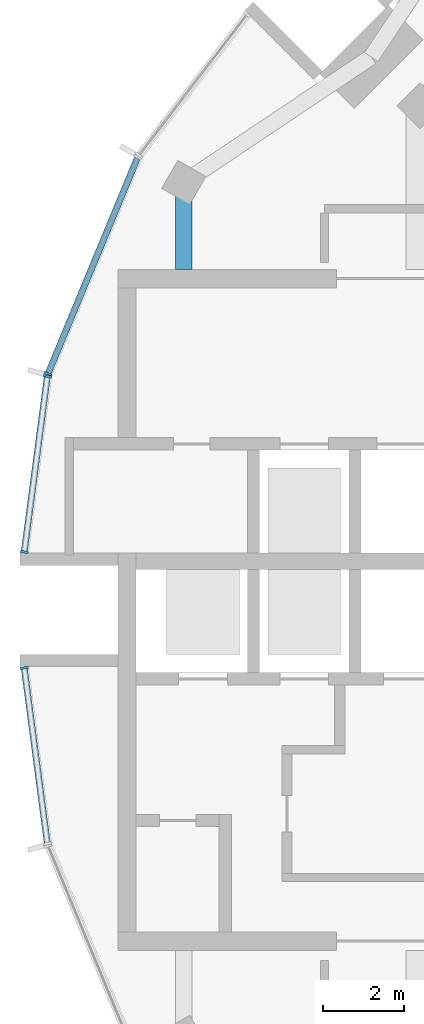
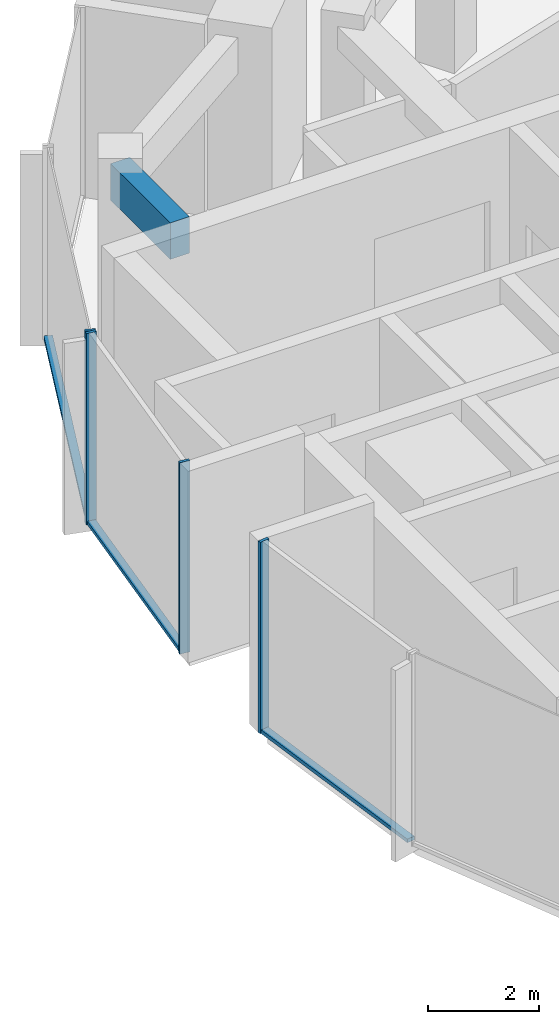
# One storey, part 3 of 13: 7 members, 1 beam, 3 elements without a shape of their own.
"""IFC4 building model written with IfcOpenShell, lengths in metres."""

from ifc_helpers import new_model, si_unit, direction, frame, origin, origin_2d, place, context, subcontext, project, spatial, rectangle, extrude, material, layer, layer_set, material_profile, profile_set, type_object, element, aggregate, save


model = new_model("IFC4")

# Units and contexts
model_context = context("Model", 3, precision=1e-05, world=origin(), true_north=direction((0.0, 1.0)))
body_context = subcontext(model_context, "Body", "Model", "MODEL_VIEW")
ifc_project = project(units=[si_unit("LENGTHUNIT", "METRE"), si_unit("AREAUNIT", "SQUARE_METRE"), si_unit("VOLUMEUNIT", "CUBIC_METRE"), si_unit("PLANEANGLEUNIT", "RADIAN"), si_unit("MASSUNIT", "GRAM", prefix="KILO")], contexts=[model_context])

# Site, building, storey
site_placement = place(None, origin())
site = spatial("IfcSite", under=ifc_project, at=site_placement, CompositionType="ELEMENT")
building_placement = place(site_placement, origin())
building = spatial("IfcBuilding", under=site, at=building_placement, Name="Torre Brocal", CompositionType="ELEMENT")
storey_placement = place(building_placement, frame((0.0, 0.0, 300.89990234375)))
storey = spatial("IfcBuildingStorey", under=building, at=storey_placement, Name="L69", CompositionType="ELEMENT", Elevation=300.89990234375)

# Curtain wall, members
ifc_material_1 = material(Name="Aluminium and glass", Category="aluminium")
ifc_layer_1 = layer(ifc_material_1, 0.199951171875)
ifc_layer_set_1 = layer_set([ifc_layer_1], Name="Aluminium and glass")
curtain_wall_type_1 = type_object("IfcCurtainWallType", Name="CW-1 CURTAIN WALL 4200 HIGH", PredefinedType="NOTDEFINED", material=ifc_layer_set_1)
curtain_wall_1_placement = place(storey_placement, origin())
curtain_wall_1 = element("IfcCurtainWall", 1, at=curtain_wall_1_placement, inside=storey, type_object=curtain_wall_type_1, Name="CW-1 RUN 11", PredefinedType="NOTDEFINED")
ifc_material_2 = material(Name="Aluminium, dark anodised", Category="aluminium")
ifc_material_profile_1 = material_profile(ifc_material_2, rectangle(XDim=0.199951171875, YDim=0.06005859375, at=origin_2d()), Name="CW-1 MULLION 60X200")
ifc_profile_set_1 = profile_set([ifc_material_profile_1], Name="Aluminium, dark anodised")
member_type_1 = type_object("IfcMemberType", Name="CW-1 MULLION 60X200", PredefinedType="MULLION", material=ifc_profile_set_1)
member_1_placement = place(storey_placement, frame((58.37548828125, 80.824951171875, 0.0), z_axis=(0.0, 0.0, 1.0), x_axis=(0.923879532545, -0.382683432284, 0.0)))
member_1 = element("IfcMember", 2, at=member_1_placement, type_object=member_type_1, Name="CW1-5 mullion 2", PredefinedType="MULLION", context=body_context, shape_type="SweptSolid", body=[
    extrude(rectangle(XDim=0.199951171875, YDim=0.06005859375, at=origin_2d()), origin(), (0.0, 0.0, 1.0), 4.2001953125),
])
ifc_material_3 = material(Name="Aluminium, dark anodised", Category="aluminium")
ifc_material_profile_2 = material_profile(ifc_material_3, rectangle(XDim=0.159912109375, YDim=0.080078125, at=origin_2d()), Name="CW-1 TRANSOM 160X80")
ifc_profile_set_2 = profile_set([ifc_material_profile_2], Name="Aluminium, dark anodised")
member_type_2 = type_object("IfcMemberType", Name="CW-1 TRANSOM 160X80", PredefinedType="USERDEFINED", material=ifc_profile_set_2)
member_2_placement = place(storey_placement, frame((60.578857421875, 86.14404296875, 0.0400390625), z_axis=(-0.382710701355, -0.923868236854, 0.0), x_axis=(0.923868236854, -0.382710701355, 0.0)))
member_2 = element("IfcMember", 3, at=member_2_placement, type_object=member_type_2, Name="CW1-5 transom 1.1", ObjectType="TRANSOM", PredefinedType="USERDEFINED", context=body_context, shape_type="SweptSolid", body=[
    extrude(rectangle(XDim=0.159912109375, YDim=0.080078125, at=origin_2d()), origin(), (0.0, 0.0, 1.0), 5.727294921875),
])
aggregate(curtain_wall_1, [member_1, member_2])

ifc_material_4 = material(Name="Aluminium and glass", Category="aluminium")
ifc_layer_2 = layer(ifc_material_4, 0.199951171875)
ifc_layer_set_2 = layer_set([ifc_layer_2], Name="Aluminium and glass")
curtain_wall_type_2 = type_object("IfcCurtainWallType", Name="CW-1B CURTAIN WALL 4200 HIGH", PredefinedType="NOTDEFINED", material=ifc_layer_set_2)
curtain_wall_2_placement = place(storey_placement, origin())
curtain_wall_2 = element("IfcCurtainWall", 4, at=curtain_wall_2_placement, inside=storey, type_object=curtain_wall_type_2, Name="CW-1B RUN 12", PredefinedType="NOTDEFINED")
ifc_material_5 = material(Name="Aluminium, dark anodised", Category="aluminium")
ifc_material_profile_3 = material_profile(ifc_material_5, rectangle(XDim=0.199951171875, YDim=0.06005859375, at=origin_2d()), Name="CW-1B MULLION 60X200")
ifc_profile_set_3 = profile_set([ifc_material_profile_3], Name="Aluminium, dark anodised")
member_type_3 = type_object("IfcMemberType", Name="CW-1B MULLION 60X200", PredefinedType="MULLION", material=ifc_profile_set_3)
member_3_placement = place(storey_placement, frame((58.360107421875, 80.767578125, 0.0), z_axis=(0.0, 0.0, 1.0), x_axis=(0.991444861374, -0.13052619222, 0.0)))
member_3 = element("IfcMember", 5, at=member_3_placement, type_object=member_type_3, Name="CW1B-5 mullion 1", PredefinedType="MULLION", context=body_context, shape_type="SweptSolid", body=[
    extrude(rectangle(XDim=0.199951171875, YDim=0.06005859375, at=origin_2d()), origin(), (0.0, 0.0, 1.0), 4.2001953125),
])
member_4_placement = place(storey_placement, frame((57.7890625, 76.4296875, 0.0), z_axis=(0.0, 0.0, 1.0), x_axis=(0.991444861374, -0.13052619222, 0.0)))
member_4 = element("IfcMember", 6, at=member_4_placement, type_object=member_type_3, Name="CW1B-5 mullion 2", PredefinedType="MULLION", context=body_context, shape_type="SweptSolid", body=[
    extrude(rectangle(XDim=0.199951171875, YDim=0.06005859375, at=origin_2d()), origin(), (0.0, 0.0, 1.0), 4.2001953125),
])

# Curtain wall, member
curtain_wall_3_placement = place(storey_placement, origin())
curtain_wall_3 = element("IfcCurtainWall", 7, at=curtain_wall_3_placement, inside=storey, type_object=curtain_wall_type_2, Name="CW-1B RUN 13", PredefinedType="NOTDEFINED")
member_5_placement = place(storey_placement, frame((57.7890625, 73.5703125, 0.0), z_axis=(0.0, 0.0, 1.0), x_axis=(0.991444861374, 0.13052619222, 0.0)))
member_5 = element("IfcMember", 8, at=member_5_placement, type_object=member_type_3, Name="CW1B-5 mullion 1", PredefinedType="MULLION", context=body_context, shape_type="SweptSolid", body=[
    extrude(rectangle(XDim=0.199951171875, YDim=0.06005859375, at=origin_2d()), origin(), (0.0, 0.0, 1.0), 4.2001953125),
])

# Member
ifc_material_6 = material(Name="Aluminium, dark anodised", Category="aluminium")
ifc_material_profile_4 = material_profile(ifc_material_6, rectangle(XDim=0.159912109375, YDim=0.080078125, at=origin_2d()), Name="CW-1B TRANSOM 160X80")
ifc_profile_set_4 = profile_set([ifc_material_profile_4], Name="Aluminium, dark anodised")
member_type_4 = type_object("IfcMemberType", Name="CW-1B TRANSOM 160X80", PredefinedType="USERDEFINED", material=ifc_profile_set_4)
member_6_placement = place(storey_placement, frame((58.356201171875, 80.73779296875, 0.0400390625), z_axis=(-0.130521833991, -0.991445435136, 0.0), x_axis=(0.991445435136, -0.130521833991, 0.0)))
member_6 = element("IfcMember", 9, at=member_6_placement, type_object=member_type_4, Name="CW1B-5 transom 1.1", ObjectType="TRANSOM", PredefinedType="USERDEFINED", context=body_context, shape_type="SweptSolid", body=[
    extrude(rectangle(XDim=0.159912109375, YDim=0.080078125, at=origin_2d()), origin(), (0.0, 0.0, 1.0), 4.315185546875),
])

aggregate(curtain_wall_2, [member_3, member_4, member_6])

member_7_placement = place(storey_placement, frame((57.79296875, 73.54052734375, 0.0400390625), z_axis=(0.130521833991, -0.991445435136, 0.0), x_axis=(0.991445435136, 0.130521833991, 0.0)))
member_7 = element("IfcMember", 10, at=member_7_placement, type_object=member_type_4, Name="CW1B-5 transom 1.1", ObjectType="TRANSOM", PredefinedType="USERDEFINED", context=body_context, shape_type="SweptSolid", body=[
    extrude(rectangle(XDim=0.159912109375, YDim=0.080078125, at=origin_2d()), origin(), (0.0, 0.0, 1.0), 4.315185546875),
])

aggregate(curtain_wall_3, [member_5, member_7])

# Beam
ifc_material_7 = material(Name="Concrete C50", Category="concrete")
ifc_material_profile_5 = material_profile(ifc_material_7, rectangle(XDim=0.39990234375, YDim=0.800048828125, at=origin_2d()), Name="RC 400X800")
ifc_profile_set_5 = profile_set([ifc_material_profile_5], Name="Concrete C50")
beam_type = type_object("IfcBeamType", Name="RC SPANDREL BEAM 400X800 C50 TOP 3880", PredefinedType="SPANDREL", material=ifc_profile_set_5)
beam_placement = place(storey_placement, frame((61.726806640625, 85.550048828125, 3.47998046875), z_axis=(0.0, -1.0, 0.0), x_axis=(1.0, 0.0, 0.0)))
element("IfcBeam", 11, at=beam_placement, inside=storey, type_object=beam_type, Name="Beam BT-47", PredefinedType="SPANDREL", context=body_context, shape_type="SweptSolid", body=[
    extrude(rectangle(XDim=0.39990234375, YDim=0.800048828125, at=origin_2d()), origin(), (0.0, 0.0, 1.0), 2.150146484375),
])

save(model, "model.ifc")
